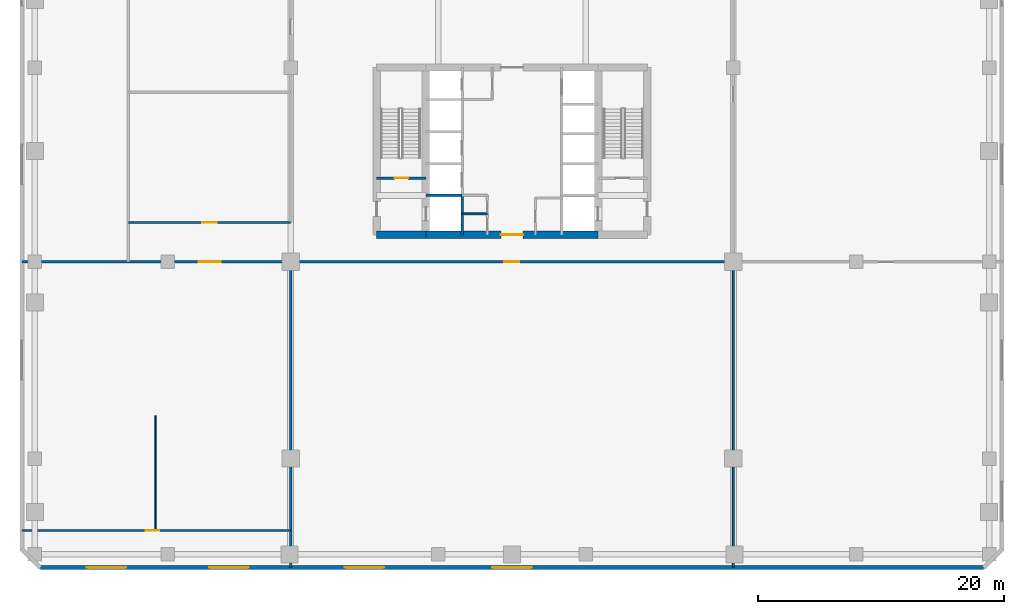
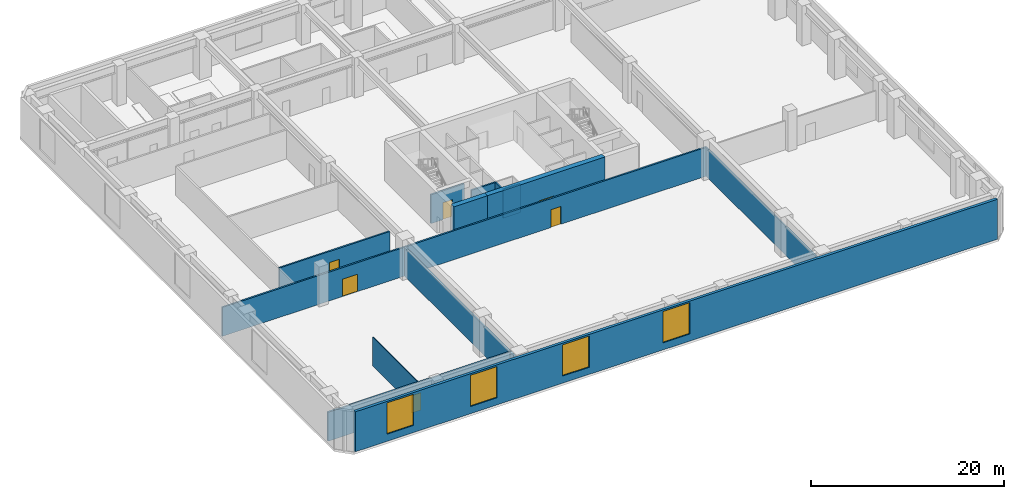
# One storey, part 3 of 12: 13 walls, 6 doors, 4 windows, 10 openings.
"""IFC4 building model written with IfcOpenShell, lengths in metres."""

from ifc_helpers import new_model, si_unit, direction, frame, frame_2d, origin, place, context, subcontext, project, spatial, rectangle, extrude, material, layer, layer_set, type_object, element, fill, save


model = new_model("IFC4")

# Units and contexts
model_context = context("Model", 3, precision=1e-05, world=origin(), true_north=direction((0.0, 1.0)))
body_context = subcontext(model_context, "Body", "Model", "MODEL_VIEW")
ifc_project = project(units=[si_unit("LENGTHUNIT", "METRE"), si_unit("AREAUNIT", "SQUARE_METRE"), si_unit("VOLUMEUNIT", "CUBIC_METRE"), si_unit("PLANEANGLEUNIT", "RADIAN"), si_unit("MASSUNIT", "GRAM", prefix="KILO")], contexts=[model_context])

# Site, building, storey
site_placement = place(None, origin())
site = spatial("IfcSite", under=ifc_project, at=site_placement, CompositionType="ELEMENT")
building_placement = place(site_placement, origin())
building = spatial("IfcBuilding", under=site, at=building_placement, Name="Sarneth Arch Tower", CompositionType="ELEMENT")
storey_placement = place(building_placement, frame((0.0, 0.0, 16.800048828125)))
storey = spatial("IfcBuildingStorey", under=building, at=storey_placement, Name="L03", CompositionType="ELEMENT", Elevation=16.800048828125)

# Wall
ifc_material_1 = material(Name="Concrete C60/75", Category="concrete")
ifc_layer_1 = layer(ifc_material_1, 0.60009765625)
ifc_layer_set_1 = layer_set([ifc_layer_1], Name="Concrete C60/75")
wall_type_1 = type_object("IfcWallType", Name="WALL-CORE-600", PredefinedType="SHEAR", material=ifc_layer_set_1)
wall_1_placement = place(storey_placement, frame((37.0, 35.199951171875, 0.0), z_axis=(0.0, 0.0, 1.0), x_axis=(1.0, 0.0, 0.0)))
element("IfcWall", 1, at=wall_1_placement, inside=storey, type_object=wall_type_1, Name="L03 Core shear wall S-W", PredefinedType="SHEAR", context=body_context, shape_type="SweptSolid", body=[
    extrude(rectangle(XDim=4.0, YDim=0.60009765625, at=frame_2d((2.0, 0.0))), origin(), (0.0, 0.0, 1.0), 5.050048828125),
])

# Wall, opening, door
wall_2_placement = place(storey_placement, frame((41.0, 35.199951171875, 0.0), z_axis=(0.0, 0.0, 1.0), x_axis=(1.0, 0.0, 0.0)))
wall_2 = element("IfcWall", 2, at=wall_2_placement, inside=storey, type_object=wall_type_1, Name="L03 Core shear wall S-M", PredefinedType="SHEAR", context=body_context, shape_type="SweptSolid", body=[
    extrude(rectangle(XDim=14.0, YDim=0.60009765625, at=frame_2d((7.0, 0.0))), origin(), (0.0, 0.0, 1.0), 5.050048828125),
])
opening_1_placement = place(wall_2_placement, frame((6.10009765625, 0.0, 0.0)))
opening_1 = element("IfcOpeningElement", 3, at=opening_1_placement, cuts=wall_2, Name="Opening FD-01", PredefinedType="OPENING", context=body_context, shape_type="SweptSolid", body=[
    extrude(rectangle(XDim=1.800048828125, YDim=2.25, at=frame_2d((0.89990234375, 1.125))), frame((0.0, 0.31005859375, 0.0), z_axis=(0.0, -1.0, 0.0), x_axis=(1.0, 0.0, 0.0)), (0.0, 0.0, 1.0), 0.6201171875),
])
ifc_material_2 = material(Name="Galvanised Steel S275 fire door set", Category="steel")
door_type_1 = type_object("IfcDoorType", Name="DR-FD90-1800", OperationType="DOUBLE_DOOR_SINGLE_SWING", PredefinedType="DOOR", material=ifc_material_2)
door_1_placement = place(opening_1_placement, origin())
door_1 = element("IfcDoor", 4, at=door_1_placement, inside=storey, type_object=door_type_1, Name="L03 Central lift lobby south door", OperationType="DOUBLE_DOOR_SINGLE_SWING", OverallHeight=2.25, OverallWidth=1.800048828125, PredefinedType="DOOR", context=body_context, shape_type="SweptSolid", body=[
    extrude(rectangle(XDim=1.800048828125, YDim=2.25, at=frame_2d((0.89990234375, 1.125))), frame((0.0, 0.02490234375, 0.0), z_axis=(0.0, -1.0, 0.0), x_axis=(1.0, 0.0, 0.0)), (0.0, 0.0, 1.0), 0.050048828125),
])
fill(opening_1, door_1)

ifc_material_3 = material(Name="Double steel-stud corridor fire wall", Category="steel")
ifc_layer_2 = layer(ifc_material_3, 0.18994140625)
ifc_layer_set_2 = layer_set([ifc_layer_2], Name="Double steel-stud corridor fire wall")
wall_type_2 = type_object("IfcWallType", Name="WALL-CORR-190", PredefinedType="PARTITIONING", material=ifc_layer_set_2)
wall_3_placement = place(storey_placement, frame((30.0, 36.199951171875, 0.0), z_axis=(0.0, 0.0, 1.0), x_axis=(-1.0, 0.0, 0.0)))
wall_3 = element("IfcWall", 5, at=wall_3_placement, inside=storey, type_object=wall_type_2, Name="L03 Interior partition W-L03-TP-004", PredefinedType="PARTITIONING", context=body_context, shape_type="SweptSolid", body=[
    extrude(rectangle(XDim=13.199951171875, YDim=0.18994140625, at=frame_2d((6.60009765625, 0.0))), origin(), (0.0, 0.0, 1.0), 3.64990234375),
])
opening_2_placement = place(wall_3_placement, frame((6.0, 0.0, 0.0)))
opening_2 = element("IfcOpeningElement", 6, at=opening_2_placement, cuts=wall_3, Name="Opening FD-06", PredefinedType="OPENING", context=body_context, shape_type="SweptSolid", body=[
    extrude(rectangle(XDim=1.199951171875, YDim=2.25, at=frame_2d((0.60009765625, 1.125))), frame((0.0, 0.10498046875, 0.0), z_axis=(0.0, -1.0, 0.0), x_axis=(1.0, 0.0, 0.0)), (0.0, 0.0, 1.0), 0.2099609375),
])
ifc_material_4 = material(Name="Hardwood timber acoustic fire door", Category="wood")
door_type_2 = type_object("IfcDoorType", Name="DR-FD60-1200", OperationType="SINGLE_SWING_LEFT", PredefinedType="DOOR", material=ifc_material_4)
door_2_placement = place(opening_2_placement, origin())
door_2 = element("IfcDoor", 7, at=door_2_placement, inside=storey, type_object=door_type_2, Name="L03 Interior door DR-L03-CONF1", OperationType="SINGLE_SWING_LEFT", OverallHeight=2.25, OverallWidth=1.199951171875, PredefinedType="DOOR", context=body_context, shape_type="SweptSolid", body=[
    extrude(rectangle(XDim=1.199951171875, YDim=2.25, at=frame_2d((0.60009765625, 1.125))), frame((0.0, 0.02490234375, 0.0), z_axis=(0.0, -1.0, 0.0), x_axis=(1.0, 0.0, 0.0)), (0.0, 0.0, 1.0), 0.050048828125),
])
fill(opening_2, door_2)

# Wall, openings, windows
ifc_material_5 = material(Name="Extruded terracotta rainscreen on Concrete C40/50 backing", Category="masonry")
ifc_layer_3 = layer(ifc_material_5, 0.320068359375)
ifc_layer_set_3 = layer_set([ifc_layer_3], Name="Extruded terracotta rainscreen on Concrete C40/50 backing")
wall_type_3 = type_object("IfcWallType", Name="WALL-EXT-TERRA-320", PredefinedType="SOLIDWALL", material=ifc_layer_set_3)
wall_4_placement = place(storey_placement, frame((9.64990234375, 8.14990234375, 0.0), z_axis=(0.0, 0.0, 1.0), x_axis=(1.0, 0.0, 0.0)))
wall_4 = element("IfcWall", 8, at=wall_4_placement, inside=storey, type_object=wall_type_3, Name="L03 Podium exterior wall 1", PredefinedType="SOLIDWALL", context=body_context, shape_type="SweptSolid", body=[
    extrude(rectangle(XDim=76.7001953125, YDim=0.320068359375, at=frame_2d((38.35009765625, 0.0))), origin(), (0.0, 0.0, 1.0), 5.050048828125),
])
opening_3_placement = place(wall_4_placement, frame((3.77490234375, 0.0, 0.89990234375)))
opening_3 = element("IfcOpeningElement", 9, at=opening_3_placement, cuts=wall_4, Name="Opening W-01", PredefinedType="OPENING", context=body_context, shape_type="SweptSolid", body=[
    extrude(rectangle(XDim=3.199951171875, YDim=3.949951171875, at=frame_2d((1.60009765625, 1.97509765625))), frame((0.0, 0.169921875, 0.0), z_axis=(0.0, -1.0, 0.0), x_axis=(1.0, 0.0, 0.0)), (0.0, 0.0, 1.0), 0.340087890625),
])
opening_4_placement = place(wall_4_placement, frame((13.75, 0.0, 0.89990234375)))
opening_4 = element("IfcOpeningElement", 10, at=opening_4_placement, cuts=wall_4, Name="Opening W-01", PredefinedType="OPENING", context=body_context, shape_type="SweptSolid", body=[
    extrude(rectangle(XDim=3.199951171875, YDim=3.949951171875, at=frame_2d((1.60009765625, 1.97509765625))), frame((0.0, 0.169921875, 0.0), z_axis=(0.0, -1.0, 0.0), x_axis=(1.0, 0.0, 0.0)), (0.0, 0.0, 1.0), 0.340087890625),
])
opening_5_placement = place(wall_4_placement, frame((24.75, 0.0, 0.89990234375)))
opening_5 = element("IfcOpeningElement", 11, at=opening_5_placement, cuts=wall_4, Name="Opening W-01", PredefinedType="OPENING", context=body_context, shape_type="SweptSolid", body=[
    extrude(rectangle(XDim=3.199951171875, YDim=3.949951171875, at=frame_2d((1.60009765625, 1.97509765625))), frame((0.0, 0.169921875, 0.0), z_axis=(0.0, -1.0, 0.0), x_axis=(1.0, 0.0, 0.0)), (0.0, 0.0, 1.0), 0.340087890625),
])
opening_6_placement = place(wall_4_placement, frame((36.75, 0.0, 0.89990234375)))
opening_6 = element("IfcOpeningElement", 12, at=opening_6_placement, cuts=wall_4, Name="Opening W-01", PredefinedType="OPENING", context=body_context, shape_type="SweptSolid", body=[
    extrude(rectangle(XDim=3.199951171875, YDim=3.949951171875, at=frame_2d((1.60009765625, 1.97509765625))), frame((0.0, 0.169921875, 0.0), z_axis=(0.0, -1.0, 0.0), x_axis=(1.0, 0.0, 0.0)), (0.0, 0.0, 1.0), 0.340087890625),
])
ifc_material_6 = material(Name="Thermally broken Aluminium 6063-T6 and low-e laminated IGU", Category="aluminium")
window_type = type_object("IfcWindowType", Name="WIN-POD-3200x4800", PartitioningType="TRIPLE_PANEL_HORIZONTAL", PredefinedType="WINDOW", material=ifc_material_6)
window_1_placement = place(opening_3_placement, origin())
window_1 = element("IfcWindow", 13, at=window_1_placement, inside=storey, type_object=window_type, Name="L03 Ballroom window 1.1", OverallHeight=3.949951171875, OverallWidth=3.199951171875, PartitioningType="SINGLE_PANEL", PredefinedType="WINDOW", context=body_context, shape_type="SweptSolid", body=[
    extrude(rectangle(XDim=3.199951171875, YDim=3.949951171875, at=frame_2d((1.60009765625, 1.97509765625))), frame((0.0, 0.030029296875, 0.0), z_axis=(0.0, -1.0, 0.0), x_axis=(1.0, 0.0, 0.0)), (0.0, 0.0, 1.0), 0.06005859375),
])
fill(opening_3, window_1)
window_2_placement = place(opening_4_placement, origin())
window_2 = element("IfcWindow", 14, at=window_2_placement, inside=storey, type_object=window_type, Name="L03 Ballroom window 1.2", OverallHeight=3.949951171875, OverallWidth=3.199951171875, PartitioningType="SINGLE_PANEL", PredefinedType="WINDOW", context=body_context, shape_type="SweptSolid", body=[
    extrude(rectangle(XDim=3.199951171875, YDim=3.949951171875, at=frame_2d((1.60009765625, 1.97509765625))), frame((0.0, 0.030029296875, 0.0), z_axis=(0.0, -1.0, 0.0), x_axis=(1.0, 0.0, 0.0)), (0.0, 0.0, 1.0), 0.06005859375),
])
fill(opening_4, window_2)
window_3_placement = place(opening_5_placement, origin())
window_3 = element("IfcWindow", 15, at=window_3_placement, inside=storey, type_object=window_type, Name="L03 Ballroom window 1.3", OverallHeight=3.949951171875, OverallWidth=3.199951171875, PartitioningType="SINGLE_PANEL", PredefinedType="WINDOW", context=body_context, shape_type="SweptSolid", body=[
    extrude(rectangle(XDim=3.199951171875, YDim=3.949951171875, at=frame_2d((1.60009765625, 1.97509765625))), frame((0.0, 0.030029296875, 0.0), z_axis=(0.0, -1.0, 0.0), x_axis=(1.0, 0.0, 0.0)), (0.0, 0.0, 1.0), 0.06005859375),
])
fill(opening_5, window_3)
window_4_placement = place(opening_6_placement, origin())
window_4 = element("IfcWindow", 16, at=window_4_placement, inside=storey, type_object=window_type, Name="L03 Ballroom window 1.4", OverallHeight=3.949951171875, OverallWidth=3.199951171875, PartitioningType="SINGLE_PANEL", PredefinedType="WINDOW", context=body_context, shape_type="SweptSolid", body=[
    extrude(rectangle(XDim=3.199951171875, YDim=3.949951171875, at=frame_2d((1.60009765625, 1.97509765625))), frame((0.0, 0.030029296875, 0.0), z_axis=(0.0, -1.0, 0.0), x_axis=(1.0, 0.0, 0.0)), (0.0, 0.0, 1.0), 0.06005859375),
])
fill(opening_6, window_4)

# Walls
ifc_material_7 = material(Name="Demountable acoustic operable wall", Category="aluminium")
ifc_layer_4 = layer(ifc_material_7, 0.10009765625)
ifc_layer_set_4 = layer_set([ifc_layer_4], Name="Demountable acoustic operable wall")
wall_type_4 = type_object("IfcWallType", Name="WALL-MOVABLE-100", PredefinedType="MOVABLE", material=ifc_layer_set_4)
wall_5_placement = place(storey_placement, frame((19.0, 11.300048828125, 0.0), z_axis=(0.0, 0.0, 1.0), x_axis=(0.0, 1.0, 0.0)))
element("IfcWall", 17, at=wall_5_placement, inside=storey, type_object=wall_type_4, Name="L03 Ballroom operable acoustic wall 1", PredefinedType="MOVABLE", context=body_context, shape_type="SweptSolid", body=[
    extrude(rectangle(XDim=9.199951171875, YDim=0.10009765625, at=frame_2d((4.60009765625, 0.0))), origin(), (0.0, 0.0, 1.0), 3.64990234375),
])
ifc_material_8 = material(Name="Acoustic gypsum stud partition", Category="gypsum")
ifc_layer_5 = layer(ifc_material_8, 0.14990234375)
ifc_layer_set_5 = layer_set([ifc_layer_5], Name="Acoustic gypsum stud partition")
wall_type_5 = type_object("IfcWallType", Name="WALL-PART-150", PredefinedType="PARTITIONING", material=ifc_layer_set_5)
wall_6_placement = place(storey_placement, frame((43.949951171875, 36.89990234375, 0.0), z_axis=(0.0, 0.0, 1.0), x_axis=(1.0, 0.0, 0.0)))
element("IfcWall", 18, at=wall_6_placement, inside=storey, type_object=wall_type_5, Name="L03 Interior partition W-L03-CSUP-M", PredefinedType="PARTITIONING", context=body_context, shape_type="SweptSolid", body=[
    extrude(rectangle(XDim=2.050048828125, YDim=0.14990234375, at=frame_2d((1.02490234375, 0.0))), origin(), (0.0, 0.0, 1.0), 3.64990234375),
])
ifc_material_9 = material(Name="Kitchen wet service chase wall", Category="gypsum")
ifc_layer_6 = layer(ifc_material_9, 0.159912109375)
ifc_layer_set_6 = layer_set([ifc_layer_6], Name="Kitchen wet service chase wall")
wall_type_6 = type_object("IfcWallType", Name="WALL-PLUMB-160", PredefinedType="PLUMBINGWALL", material=ifc_layer_set_6)
wall_7_placement = place(storey_placement, frame((66.0, 33.0, 0.0), z_axis=(0.0, 0.0, 1.0), x_axis=(0.0, -1.0, 0.0)))
element("IfcWall", 19, at=wall_7_placement, inside=storey, type_object=wall_type_6, Name="L03 Interior partition W-L03-TP-026", PredefinedType="PLUMBINGWALL", context=body_context, shape_type="SweptSolid", body=[
    extrude(rectangle(XDim=24.85009765625, YDim=0.159912109375, at=frame_2d((12.425048828125, 0.0))), origin(), (0.0, 0.0, 1.0), 3.64990234375),
])

# Wall, opening, door
ifc_material_10 = material(Name="Aerated concrete blockwork C25/30", Category="masonry")
ifc_layer_7 = layer(ifc_material_10, 0.199951171875)
ifc_layer_set_7 = layer_set([ifc_layer_7], Name="Aerated concrete blockwork C25/30")
wall_type_7 = type_object("IfcWallType", Name="WALL-SHAFT-200", PredefinedType="SOLIDWALL", material=ifc_layer_set_7)
wall_8_placement = place(storey_placement, frame((37.0, 39.800048828125, 0.0), z_axis=(0.0, 0.0, 1.0), x_axis=(1.0, 0.0, 0.0)))
wall_8 = element("IfcWall", 20, at=wall_8_placement, inside=storey, type_object=wall_type_7, Name="L03 Interior partition W-L03-ST1-S", PredefinedType="SOLIDWALL", context=body_context, shape_type="SweptSolid", body=[
    extrude(rectangle(XDim=4.0, YDim=0.199951171875, at=frame_2d((2.0, 0.0))), origin(), (0.0, 0.0, 1.0), 3.64990234375),
])
opening_7_placement = place(wall_8_placement, frame((1.449951171875, 0.0, 0.0)))
opening_7 = element("IfcOpeningElement", 21, at=opening_7_placement, cuts=wall_8, Name="Opening FD-03", PredefinedType="OPENING", context=body_context, shape_type="SweptSolid", body=[
    extrude(rectangle(XDim=1.10009765625, YDim=2.14990234375, at=frame_2d((0.550048828125, 1.074951171875))), frame((0.0, 0.10986328125, 0.0), z_axis=(0.0, -1.0, 0.0), x_axis=(1.0, 0.0, 0.0)), (0.0, 0.0, 1.0), 0.219970703125),
])
ifc_material_11 = material(Name="Galvanised Steel S275 fire door set", Category="steel")
door_type_3 = type_object("IfcDoorType", Name="DR-FD90-1100", OperationType="SINGLE_SWING_LEFT", PredefinedType="DOOR", material=ifc_material_11)
door_3_placement = place(opening_7_placement, origin())
door_3 = element("IfcDoor", 22, at=door_3_placement, inside=storey, type_object=door_type_3, Name="L03 Interior door DR-L03-ST1", OperationType="SINGLE_SWING_LEFT", OverallHeight=2.14990234375, OverallWidth=1.10009765625, PredefinedType="DOOR", context=body_context, shape_type="SweptSolid", body=[
    extrude(rectangle(XDim=1.10009765625, YDim=2.14990234375, at=frame_2d((0.550048828125, 1.074951171875))), frame((0.0, 0.02490234375, 0.0), z_axis=(0.0, -1.0, 0.0), x_axis=(1.0, 0.0, 0.0)), (0.0, 0.0, 1.0), 0.050048828125),
])
fill(opening_7, door_3)

# Walls
wall_9_placement = place(storey_placement, frame((43.949951171875, 35.199951171875, 0.0), z_axis=(0.0, 0.0, 1.0), x_axis=(0.0, 1.0, 0.0)))
element("IfcWall", 23, at=wall_9_placement, inside=storey, type_object=wall_type_7, Name="L03 Interior partition W-L03-FL1-E", PredefinedType="SOLIDWALL", context=body_context, shape_type="SweptSolid", body=[
    extrude(rectangle(XDim=3.199951171875, YDim=0.199951171875, at=frame_2d((1.60009765625, 0.0))), origin(), (0.0, 0.0, 1.0), 3.64990234375),
])
wall_10_placement = place(storey_placement, frame((41.0, 38.39990234375, 0.0), z_axis=(0.0, 0.0, 1.0), x_axis=(1.0, 0.0, 0.0)))
element("IfcWall", 24, at=wall_10_placement, inside=storey, type_object=wall_type_7, Name="L03 Interior partition W-L03-FL1-N", PredefinedType="SOLIDWALL", context=body_context, shape_type="SweptSolid", body=[
    extrude(rectangle(XDim=2.949951171875, YDim=0.199951171875, at=frame_2d((1.47509765625, 0.0))), origin(), (0.0, 0.0, 1.0), 3.64990234375),
])

# Wall, openings, doors
ifc_material_12 = material(Name="Double steel-stud acoustic drywall", Category="steel")
ifc_layer_8 = layer(ifc_material_12, 0.199951171875)
ifc_layer_set_8 = layer_set([ifc_layer_8], Name="Double steel-stud acoustic drywall")
wall_type_8 = type_object("IfcWallType", Name="WALL-UNIT-200", PredefinedType="PARTITIONING", material=ifc_layer_set_8)
wall_11_placement = place(storey_placement, frame((66.0, 33.0, 0.0), z_axis=(0.0, 0.0, 1.0), x_axis=(-1.0, 0.0, 0.0)))
wall_11 = element("IfcWall", 25, at=wall_11_placement, inside=storey, type_object=wall_type_8, Name="L03 Interior partition W-L03-TP-002", PredefinedType="PARTITIONING", context=body_context, shape_type="SweptSolid", body=[
    extrude(rectangle(XDim=57.85009765625, YDim=0.199951171875, at=frame_2d((28.925048828125, 0.0))), origin(), (0.0, 0.0, 1.0), 3.64990234375),
])
opening_8_placement = place(wall_11_placement, frame((17.416015625, 0.0, 0.0)))
opening_8 = element("IfcOpeningElement", 26, at=opening_8_placement, cuts=wall_11, Name="Opening FD-06", PredefinedType="OPENING", context=body_context, shape_type="SweptSolid", body=[
    extrude(rectangle(XDim=1.199951171875, YDim=2.25, at=frame_2d((0.60009765625, 1.125))), frame((0.0, 0.10986328125, 0.0), z_axis=(0.0, -1.0, 0.0), x_axis=(1.0, 0.0, 0.0)), (0.0, 0.0, 1.0), 0.219970703125),
])
opening_9_placement = place(wall_11_placement, frame((41.68408203125, 0.0, 0.0)))
opening_9 = element("IfcOpeningElement", 27, at=opening_9_placement, cuts=wall_11, Name="Opening FD-05", PredefinedType="OPENING", context=body_context, shape_type="SweptSolid", body=[
    extrude(rectangle(XDim=1.800048828125, YDim=2.199951171875, at=frame_2d((0.89990234375, 1.10009765625))), frame((0.0, 0.10986328125, 0.0), z_axis=(0.0, -1.0, 0.0), x_axis=(1.0, 0.0, 0.0)), (0.0, 0.0, 1.0), 0.219970703125),
])
door_4_placement = place(opening_8_placement, origin())
door_4 = element("IfcDoor", 28, at=door_4_placement, inside=storey, type_object=door_type_2, Name="L03 Interior door DR-L03-BQSTR", OperationType="SINGLE_SWING_RIGHT", OverallHeight=2.25, OverallWidth=1.199951171875, PredefinedType="DOOR", context=body_context, shape_type="SweptSolid", body=[
    extrude(rectangle(XDim=1.199951171875, YDim=2.25, at=frame_2d((0.60009765625, 1.125))), frame((0.0, 0.02490234375, 0.0), z_axis=(0.0, -1.0, 0.0), x_axis=(1.0, 0.0, 0.0)), (0.0, 0.0, 1.0), 0.050048828125),
])
fill(opening_8, door_4)
ifc_material_13 = material(Name="Hardwood timber acoustic fire door", Category="wood")
door_type_4 = type_object("IfcDoorType", Name="DR-FD60-1800", OperationType="DOUBLE_DOOR_SINGLE_SWING", PredefinedType="DOOR", material=ifc_material_13)
door_5_placement = place(opening_9_placement, origin())
door_5 = element("IfcDoor", 29, at=door_5_placement, inside=storey, type_object=door_type_4, Name="L03 Interior door DR-L03-BALL", OperationType="SINGLE_SWING_LEFT", OverallHeight=2.199951171875, OverallWidth=1.800048828125, PredefinedType="DOOR", context=body_context, shape_type="SweptSolid", body=[
    extrude(rectangle(XDim=1.800048828125, YDim=2.199951171875, at=frame_2d((0.89990234375, 1.10009765625))), frame((0.0, 0.02490234375, 0.0), z_axis=(0.0, -1.0, 0.0), x_axis=(1.0, 0.0, 0.0)), (0.0, 0.0, 1.0), 0.050048828125),
])
fill(opening_9, door_5)

# Wall, opening, door
wall_12_placement = place(storey_placement, frame((30.0, 11.14990234375, 0.0), z_axis=(0.0, 0.0, 1.0), x_axis=(-1.0, 0.0, 0.0)))
wall_12 = element("IfcWall", 30, at=wall_12_placement, inside=storey, type_object=wall_type_8, Name="L03 Interior partition W-L03-TP-022", PredefinedType="PARTITIONING", context=body_context, shape_type="SweptSolid", body=[
    extrude(rectangle(XDim=21.85009765625, YDim=0.199951171875, at=frame_2d((10.925048828125, 0.0))), origin(), (0.0, 0.0, 1.0), 3.64990234375),
])
opening_10_placement = place(wall_12_placement, frame((10.675048828125, 0.0, 0.0)))
opening_10 = element("IfcOpeningElement", 31, at=opening_10_placement, cuts=wall_12, Name="Opening FD-07", PredefinedType="OPENING", context=body_context, shape_type="SweptSolid", body=[
    extrude(rectangle(XDim=1.10009765625, YDim=2.199951171875, at=frame_2d((0.550048828125, 1.10009765625))), frame((0.0, 0.10986328125, 0.0), z_axis=(0.0, -1.0, 0.0), x_axis=(1.0, 0.0, 0.0)), (0.0, 0.0, 1.0), 0.219970703125),
])
ifc_material_14 = material(Name="Hardwood timber acoustic fire door", Category="wood")
door_type_5 = type_object("IfcDoorType", Name="DR-FD60-1100", OperationType="SINGLE_SWING_RIGHT", PredefinedType="DOOR", material=ifc_material_14)
door_6_placement = place(opening_10_placement, origin())
door_6 = element("IfcDoor", 32, at=door_6_placement, inside=storey, type_object=door_type_5, Name="L03 Interior door DR-L03-AVSTR", OperationType="SINGLE_SWING_RIGHT", OverallHeight=2.199951171875, OverallWidth=1.10009765625, PredefinedType="DOOR", context=body_context, shape_type="SweptSolid", body=[
    extrude(rectangle(XDim=1.10009765625, YDim=2.199951171875, at=frame_2d((0.550048828125, 1.10009765625))), frame((0.0, 0.02490234375, 0.0), z_axis=(0.0, -1.0, 0.0), x_axis=(1.0, 0.0, 0.0)), (0.0, 0.0, 1.0), 0.050048828125),
])
fill(opening_10, door_6)

# Wall
wall_13_placement = place(storey_placement, frame((30.0, 33.0, 0.0), z_axis=(0.0, 0.0, 1.0), x_axis=(0.0, -1.0, 0.0)))
element("IfcWall", 33, at=wall_13_placement, inside=storey, type_object=wall_type_8, Name="L03 Interior partition W-L03-TP-023", PredefinedType="PARTITIONING", context=body_context, shape_type="SweptSolid", body=[
    extrude(rectangle(XDim=24.85009765625, YDim=0.199951171875, at=frame_2d((12.425048828125, 0.0))), origin(), (0.0, 0.0, 1.0), 3.64990234375),
])

save(model, "model.ifc")
